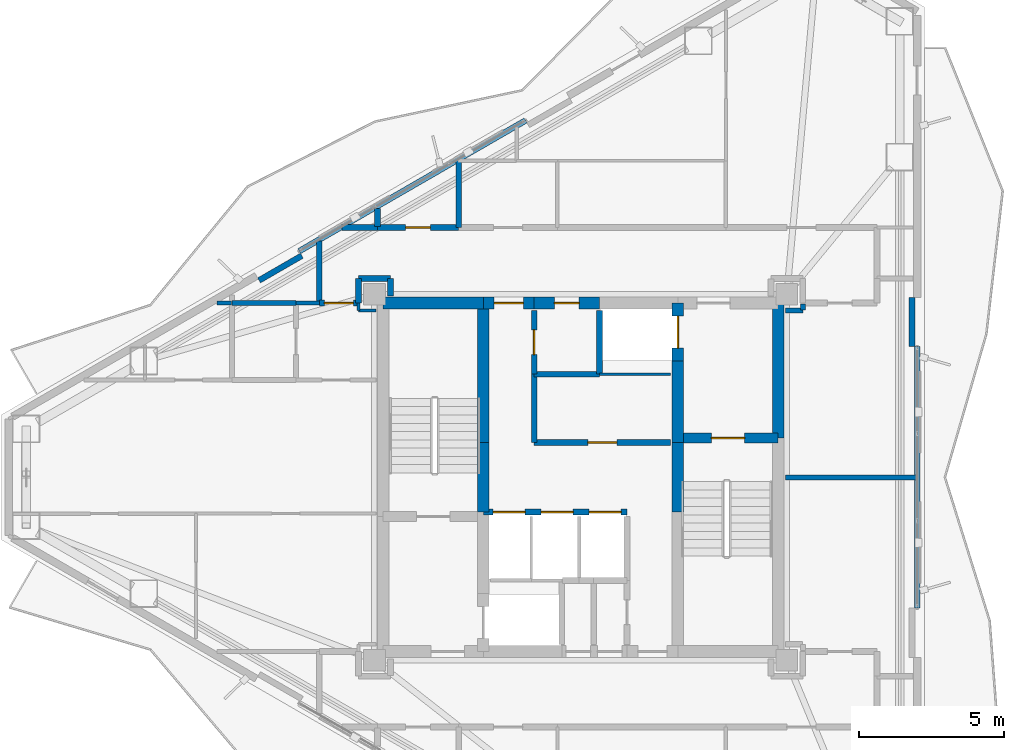
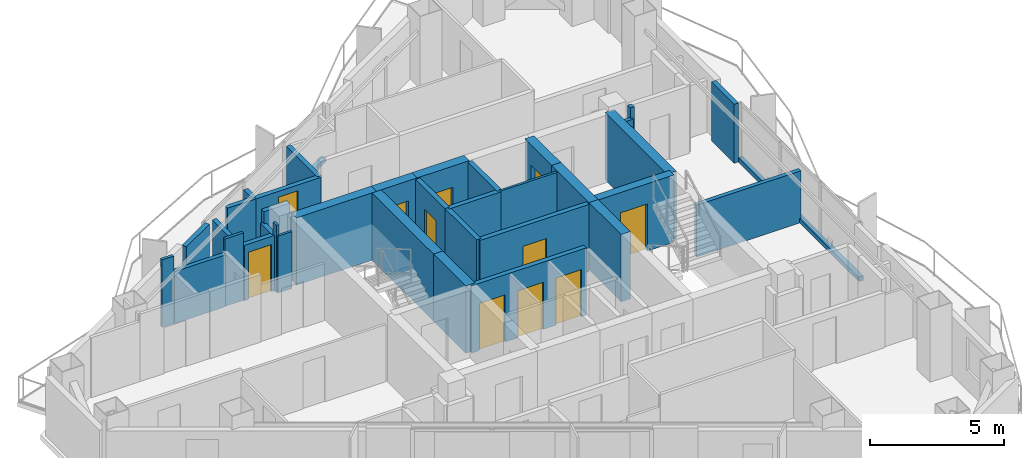
# One storey, part 18 of 22: 38 walls, 11 doors, 11 openings.
"""IFC4 building model written with IfcOpenShell, lengths in metres."""

from ifc_helpers import new_model, si_unit, direction, frame, frame_2d, origin, place, context, subcontext, project, spatial, rectangle, extrude, material, layer, layer_set, type_object, element, fill, save


model = new_model("IFC4")

# Units and contexts
model_context = context("Model", 3, precision=1e-05, world=origin(), true_north=direction((0.0, 1.0)))
body_context = subcontext(model_context, "Body", "Model", "MODEL_VIEW")
ifc_project = project(units=[si_unit("LENGTHUNIT", "METRE"), si_unit("AREAUNIT", "SQUARE_METRE"), si_unit("VOLUMEUNIT", "CUBIC_METRE"), si_unit("PLANEANGLEUNIT", "RADIAN"), si_unit("MASSUNIT", "GRAM", prefix="KILO")], contexts=[model_context])

# Site, building, storey
site_placement = place(None, origin())
site = spatial("IfcSite", under=ifc_project, at=site_placement, CompositionType="ELEMENT")
building_placement = place(site_placement, origin())
building = spatial("IfcBuilding", under=site, at=building_placement, Name="Mersakhor Tower and Convention Hall", CompositionType="ELEMENT")
storey_placement = place(building_placement, frame((0.0, 0.0, 188.699951171875)))
storey = spatial("IfcBuildingStorey", under=building, at=storey_placement, Name="L52", CompositionType="ELEMENT", Elevation=188.699951171875)

# Walls
ifc_material_1 = material(Name="Precast concrete C40/50", Category="concrete")
ifc_layer_1 = layer(ifc_material_1, 0.199951171875)
ifc_layer_set_1 = layer_set([ifc_layer_1], Name="Precast concrete C40/50")
wall_type_1 = type_object("IfcWallType", Name="WL-PAR-200", PredefinedType="PARAPET", material=ifc_layer_set_1)
wall_1_placement = place(storey_placement, frame((19.30908203125, 34.5361328125, 0.0), z_axis=(0.0, 0.0, 1.0), x_axis=(0.866020680503, 0.500008180874, 0.0)))
element("IfcWall", 1, at=wall_1_placement, inside=storey, type_object=wall_type_1, Name="L52 Curtain Wall Upstand Sill F1-B2", PredefinedType="PARAPET", context=body_context, shape_type="SweptSolid", body=[
    extrude(rectangle(XDim=8.998779296875, YDim=0.199951171875, at=frame_2d((4.49951171875, 0.0))), origin(), (0.0, 0.0, 1.0), 0.199951171875),
])
wall_2_placement = place(storey_placement, frame((17.927001953125, 33.5302734375, 0.0), z_axis=(0.0, 0.0, 1.0), x_axis=(0.86605165483, 0.499954529098, 0.0)))
element("IfcWall", 2, at=wall_2_placement, inside=storey, type_object=wall_type_1, Name="L52 Column Pier Cladding Wall F1-C1", PredefinedType="PARAPET", context=body_context, shape_type="SweptSolid", body=[
    extrude(rectangle(XDim=1.699951171875, YDim=0.199951171875, at=frame_2d((0.85009765625, 0.0))), origin(), (0.0, 0.0, 1.0), 2.68994140625),
])
wall_3_placement = place(storey_placement, frame((40.58837890625, 31.24951171875, 0.0), z_axis=(0.0, 0.0, 1.0), x_axis=(0.0, -1.0, 0.0)))
element("IfcWall", 3, at=wall_3_placement, inside=storey, type_object=wall_type_1, Name="L52 Curtain Wall Upstand Sill F2-B2", PredefinedType="PARAPET", context=body_context, shape_type="SweptSolid", body=[
    extrude(rectangle(XDim=8.9990234375, YDim=0.199951171875, at=frame_2d((4.49951171875, 0.0))), origin(), (0.0, 0.0, 1.0), 0.199951171875),
])
wall_4_placement = place(storey_placement, frame((40.408447265625, 32.949462890625, 0.0), z_axis=(0.0, 0.0, 1.0), x_axis=(0.0, -1.0, 0.0)))
element("IfcWall", 4, at=wall_4_placement, inside=storey, type_object=wall_type_1, Name="L52 Column Pier Cladding Wall F2-C1", PredefinedType="PARAPET", context=body_context, shape_type="SweptSolid", body=[
    extrude(rectangle(XDim=1.699951171875, YDim=0.199951171875, at=frame_2d((0.85009765625, 0.0))), origin(), (0.0, 0.0, 1.0), 2.68994140625),
])
ifc_material_2 = material(Name="Moisture-resistant acoustic drywall studwork", Category="other")
ifc_layer_2 = layer(ifc_material_2, 0.175048828125)
ifc_layer_set_2 = layer_set([ifc_layer_2], Name="Moisture-resistant acoustic drywall studwork")
wall_type_2 = type_object("IfcWallType", Name="WL-PLM-175", PredefinedType="PLUMBINGWALL", material=ifc_layer_set_2)
wall_5_placement = place(storey_placement, frame((36.050048828125, 32.5, 0.0), z_axis=(0.0, 0.0, 1.0), x_axis=(1.0, 0.0, 0.0)))
element("IfcWall", 5, at=wall_5_placement, inside=storey, type_object=wall_type_2, Name="L52 Interior Partition Wall P-053", PredefinedType="PLUMBINGWALL", context=body_context, shape_type="SweptSolid", body=[
    extrude(rectangle(XDim=0.599853515625, YDim=0.175048828125, at=frame_2d((0.2998046875, 0.0))), origin(), (0.0, 0.0, 1.0), 2.594970703125),
])
wall_6_placement = place(storey_placement, frame((36.64990234375, 32.514892578125, 0.0), z_axis=(0.0, 0.0, 1.0), x_axis=(0.0, 1.0, 0.0)))
element("IfcWall", 6, at=wall_6_placement, inside=storey, type_object=wall_type_2, Name="L52 Interior Partition Wall P-054", PredefinedType="PLUMBINGWALL", context=body_context, shape_type="SweptSolid", body=[
    extrude(rectangle(XDim=0.205078125, YDim=0.175048828125, at=frame_2d((0.1025390625, 0.0))), origin(), (0.0, 0.0, 1.0), 3.070068359375),
])
wall_7_placement = place(storey_placement, frame((40.55029296875, 26.75, 0.0), z_axis=(0.0, 0.0, 1.0), x_axis=(-1.0, 0.0, 0.0)))
element("IfcWall", 7, at=wall_7_placement, inside=storey, type_object=wall_type_2, Name="L52 Interior Partition Wall P-056", PredefinedType="PLUMBINGWALL", context=body_context, shape_type="SweptSolid", body=[
    extrude(rectangle(XDim=4.500244140625, YDim=0.175048828125, at=frame_2d((2.25, 0.0))), origin(), (0.0, 0.0, 1.0), 2.364990234375),
])
wall_8_placement = place(storey_placement, frame((17.0, 32.75, 0.0), z_axis=(0.0, 0.0, 1.0), x_axis=(1.0, 0.0, 0.0)))
element("IfcWall", 8, at=wall_8_placement, inside=storey, type_object=wall_type_2, Name="L52 Interior Partition Wall P-060", PredefinedType="PLUMBINGWALL", context=body_context, shape_type="SweptSolid", body=[
    extrude(rectangle(XDim=2.199951171875, YDim=0.175048828125, at=frame_2d((1.10009765625, 0.0))), origin(), (0.0, 0.0, 1.0), 2.364990234375),
])
ifc_material_3 = material(Name="Lightweight gypsum partition", Category="other")
ifc_layer_3 = layer(ifc_material_3, 0.10009765625)
ifc_layer_set_3 = layer_set([ifc_layer_3], Name="Lightweight gypsum partition")
wall_type_3 = type_object("IfcWallType", Name="WL-PRT-100", PredefinedType="PARTITIONING", material=ifc_layer_set_3)
wall_9_placement = place(storey_placement, frame((32.10009765625, 30.300048828125, 0.0), z_axis=(0.0, 0.0, 1.0), x_axis=(-1.0, 0.0, 0.0)))
element("IfcWall", 9, at=wall_9_placement, inside=storey, type_object=wall_type_3, Name="L52 Interior Partition Wall P-004", PredefinedType="PARTITIONING", context=body_context, shape_type="SweptSolid", body=[
    extrude(rectangle(XDim=2.4501953125, YDim=0.10009765625, at=frame_2d((1.22509765625, 0.0))), origin(), (0.0, 0.0, 1.0), 3.070068359375),
])
wall_10_placement = place(storey_placement, frame((21.35009765625, 32.5, 0.0), z_axis=(0.0, 0.0, 1.0), x_axis=(1.0, 0.0, 0.0)))
element("IfcWall", 10, at=wall_10_placement, inside=storey, type_object=wall_type_3, Name="L52 Interior Partition Wall P-048", PredefinedType="PARTITIONING", context=body_context, shape_type="SweptSolid", body=[
    extrude(rectangle(XDim=0.599853515625, YDim=0.10009765625, at=frame_2d((0.2998046875, 0.0))), origin(), (0.0, 0.0, 1.0), 2.594970703125),
])
wall_11_placement = place(storey_placement, frame((21.35009765625, 32.75, 0.0), z_axis=(0.0, 0.0, 1.0), x_axis=(0.0, -1.0, 0.0)))
element("IfcWall", 11, at=wall_11_placement, inside=storey, type_object=wall_type_3, Name="L52 Interior Partition Wall P-052", PredefinedType="PARTITIONING", context=body_context, shape_type="SweptSolid", body=[
    extrude(rectangle(XDim=0.25, YDim=0.10009765625, at=frame_2d((0.125, 0.0))), origin(), (0.0, 0.0, 1.0), 3.070068359375),
])
ifc_material_4 = material(Name="Gypsum board acoustic partition", Category="other")
ifc_layer_4 = layer(ifc_material_4, 0.125)
ifc_layer_set_4 = layer_set([ifc_layer_4], Name="Gypsum board acoustic partition")
wall_type_4 = type_object("IfcWallType", Name="WL-PRT-125", PredefinedType="PARTITIONING", material=ifc_layer_set_4)
wall_12_placement = place(storey_placement, frame((19.199951171875, 32.75, 0.0), z_axis=(0.0, 0.0, 1.0), x_axis=(1.0, 0.0, 0.0)))
element("IfcWall", 12, at=wall_12_placement, inside=storey, type_object=wall_type_4, Name="L52 Interior Partition Wall P-051", PredefinedType="PARTITIONING", context=body_context, shape_type="SweptSolid", body=[
    extrude(rectangle(XDim=0.800048828125, YDim=0.125, at=frame_2d((0.39990234375, 0.0))), origin(), (0.0, 0.0, 1.0), 3.070068359375),
])
wall_13_placement = place(storey_placement, frame((16.486328125, 32.75, 0.0), z_axis=(0.0, 0.0, 1.0), x_axis=(1.0, 0.0, 0.0)))
element("IfcWall", 13, at=wall_13_placement, inside=storey, type_object=wall_type_4, Name="L52 Interior Partition Wall P-065", PredefinedType="PARTITIONING", context=body_context, shape_type="SweptSolid", body=[
    extrude(rectangle(XDim=0.498779296875, YDim=0.125, at=frame_2d((0.24951171875, 0.0))), origin(), (0.0, 0.0, 1.0), 3.070068359375),
])

# Wall, openings, doors
ifc_material_5 = material(Name="Acoustic concrete blockwork and gypsum board", Category="masonry")
ifc_layer_5 = layer(ifc_material_5, 0.199951171875)
ifc_layer_set_5 = layer_set([ifc_layer_5], Name="Acoustic concrete blockwork and gypsum board")
wall_type_5 = type_object("IfcWallType", Name="WL-PRT-200", PredefinedType="PARTITIONING", material=ifc_layer_set_5)
wall_14_placement = place(storey_placement, frame((25.64990234375, 25.550048828125, 0.0), z_axis=(0.0, 0.0, 1.0), x_axis=(1.0, 0.0, 0.0)))
wall_14 = element("IfcWall", 14, at=wall_14_placement, inside=storey, type_object=wall_type_5, Name="L52 High-Rise Lift Bank Front Wall", PredefinedType="PARTITIONING", context=body_context, shape_type="SweptSolid", body=[
    extrude(rectangle(XDim=4.9501953125, YDim=0.199951171875, at=frame_2d((2.47509765625, 0.0))), origin(), (0.0, 0.0, 1.0), 3.070068359375),
])
opening_1_placement = place(wall_14_placement, frame((0.340087890625, 0.0, 0.0)))
opening_1 = element("IfcOpeningElement", 15, at=opening_1_placement, cuts=wall_14, Name="Opening LD-P4", PredefinedType="OPENING", context=body_context, shape_type="SweptSolid", body=[
    extrude(rectangle(XDim=1.10009765625, YDim=2.14990234375, at=frame_2d((0.550048828125, 1.074951171875))), frame((0.0, 0.10986328125, 0.0), z_axis=(0.0, -1.0, 0.0), x_axis=(1.0, 0.0, 0.0)), (0.0, 0.0, 1.0), 0.219970703125),
])
opening_2_placement = place(wall_14_placement, frame((1.989990234375, 0.0, 0.0)))
opening_2 = element("IfcOpeningElement", 16, at=opening_2_placement, cuts=wall_14, Name="Opening LD-P5", PredefinedType="OPENING", context=body_context, shape_type="SweptSolid", body=[
    extrude(rectangle(XDim=1.10009765625, YDim=2.14990234375, at=frame_2d((0.550048828125, 1.074951171875))), frame((0.0, 0.10986328125, 0.0), z_axis=(0.0, -1.0, 0.0), x_axis=(1.0, 0.0, 0.0)), (0.0, 0.0, 1.0), 0.219970703125),
])
opening_3_placement = place(wall_14_placement, frame((3.639892578125, 0.0, 0.0)))
opening_3 = element("IfcOpeningElement", 17, at=opening_3_placement, cuts=wall_14, Name="Opening LD-P6", PredefinedType="OPENING", context=body_context, shape_type="SweptSolid", body=[
    extrude(rectangle(XDim=1.10009765625, YDim=2.14990234375, at=frame_2d((0.550048828125, 1.074951171875))), frame((0.0, 0.10986328125, 0.0), z_axis=(0.0, -1.0, 0.0), x_axis=(1.0, 0.0, 0.0)), (0.0, 0.0, 1.0), 0.219970703125),
])
ifc_material_6 = material(Name="Fire-rated brushed stainless steel sliding landing door", Category="steel")
door_type_1 = type_object("IfcDoorType", Name="DR-LIFT-SLD-110x215", OperationType="NOTDEFINED", PredefinedType="DOOR", material=ifc_material_6)
door_1_placement = place(opening_1_placement, origin())
door_1 = element("IfcDoor", 18, at=door_1_placement, inside=storey, type_object=door_type_1, Name="L52 Lift Landing Door LD-P4", OperationType="SLIDING_TO_LEFT", OverallHeight=2.14990234375, OverallWidth=1.10009765625, PredefinedType="DOOR", context=body_context, shape_type="SweptSolid", body=[
    extrude(rectangle(XDim=1.10009765625, YDim=2.14990234375, at=frame_2d((0.550048828125, 1.074951171875))), frame((0.0, 0.02490234375, 0.0), z_axis=(0.0, -1.0, 0.0), x_axis=(1.0, 0.0, 0.0)), (0.0, 0.0, 1.0), 0.050048828125),
])
fill(opening_1, door_1)
door_2_placement = place(opening_2_placement, origin())
door_2 = element("IfcDoor", 19, at=door_2_placement, inside=storey, type_object=door_type_1, Name="L52 Lift Landing Door LD-P5", OperationType="SLIDING_TO_LEFT", OverallHeight=2.14990234375, OverallWidth=1.10009765625, PredefinedType="DOOR", context=body_context, shape_type="SweptSolid", body=[
    extrude(rectangle(XDim=1.10009765625, YDim=2.14990234375, at=frame_2d((0.550048828125, 1.074951171875))), frame((0.0, 0.02490234375, 0.0), z_axis=(0.0, -1.0, 0.0), x_axis=(1.0, 0.0, 0.0)), (0.0, 0.0, 1.0), 0.050048828125),
])
fill(opening_2, door_2)
door_3_placement = place(opening_3_placement, origin())
door_3 = element("IfcDoor", 20, at=door_3_placement, inside=storey, type_object=door_type_1, Name="L52 Lift Landing Door LD-P6", OperationType="SLIDING_TO_LEFT", OverallHeight=2.14990234375, OverallWidth=1.10009765625, PredefinedType="DOOR", context=body_context, shape_type="SweptSolid", body=[
    extrude(rectangle(XDim=1.10009765625, YDim=2.14990234375, at=frame_2d((0.550048828125, 1.074951171875))), frame((0.0, 0.02490234375, 0.0), z_axis=(0.0, -1.0, 0.0), x_axis=(1.0, 0.0, 0.0)), (0.0, 0.0, 1.0), 0.050048828125),
])
fill(opening_3, door_3)

# Wall
wall_15_placement = place(storey_placement, frame((29.64990234375, 30.300048828125, 0.0), z_axis=(0.0, 0.0, 1.0), x_axis=(0.0, 1.0, 0.0)))
element("IfcWall", 21, at=wall_15_placement, inside=storey, type_object=wall_type_5, Name="L52 Interior Partition Wall P-005", PredefinedType="PARTITIONING", context=body_context, shape_type="SweptSolid", body=[
    extrude(rectangle(XDim=2.199951171875, YDim=0.199951171875, at=frame_2d((1.10009765625, 0.0))), origin(), (0.0, 0.0, 1.0), 3.070068359375),
])

# Wall, opening, door
wall_16_placement = place(storey_placement, frame((27.39990234375, 32.5, 0.0), z_axis=(0.0, 0.0, 1.0), x_axis=(0.0, -1.0, 0.0)))
wall_16 = element("IfcWall", 22, at=wall_16_placement, inside=storey, type_object=wall_type_5, Name="L52 Interior Partition Wall P-013", PredefinedType="PARTITIONING", context=body_context, shape_type="SweptSolid", body=[
    extrude(rectangle(XDim=2.199951171875, YDim=0.199951171875, at=frame_2d((1.10009765625, 0.0))), origin(), (0.0, 0.0, 1.0), 3.070068359375),
])
opening_4_placement = place(wall_16_placement, frame((0.675048828125, 0.0, 0.0)))
opening_4 = element("IfcOpeningElement", 23, at=opening_4_placement, cuts=wall_16, Name="Opening SVD-01", PredefinedType="OPENING", context=body_context, shape_type="SweptSolid", body=[
    extrude(rectangle(XDim=0.85009765625, YDim=2.10009765625, at=frame_2d((0.425048828125, 1.050048828125))), frame((0.0, 0.10986328125, 0.0), z_axis=(0.0, -1.0, 0.0), x_axis=(1.0, 0.0, 0.0)), (0.0, 0.0, 1.0), 0.219970703125),
])
ifc_material_7 = material(Name="Fire-rated hardwood leaf and painted steel frame", Category="steel")
door_type_2 = type_object("IfcDoorType", Name="DR-INT-SVC-085x210", OperationType="NOTDEFINED", PredefinedType="DOOR", material=ifc_material_7)
door_4_placement = place(opening_4_placement, origin())
door_4 = element("IfcDoor", 24, at=door_4_placement, inside=storey, type_object=door_type_2, Name="L52 Central Passenger Lift Lobby to High-Zone Telecoms Room Door", OperationType="SINGLE_SWING_RIGHT", OverallHeight=2.10009765625, OverallWidth=0.85009765625, PredefinedType="DOOR", context=body_context, shape_type="SweptSolid", body=[
    extrude(rectangle(XDim=0.85009765625, YDim=2.10009765625, at=frame_2d((0.425048828125, 1.050048828125))), frame((0.0, 0.02490234375, 0.0), z_axis=(0.0, -1.0, 0.0), x_axis=(1.0, 0.0, 0.0)), (0.0, 0.0, 1.0), 0.050048828125),
])
fill(opening_4, door_4)

# Wall
wall_17_placement = place(storey_placement, frame((27.39990234375, 30.300048828125, 0.0), z_axis=(0.0, 0.0, 1.0), x_axis=(0.0, -1.0, 0.0)))
element("IfcWall", 25, at=wall_17_placement, inside=storey, type_object=wall_type_5, Name="L52 Interior Partition Wall P-014", PredefinedType="PARTITIONING", context=body_context, shape_type="SweptSolid", body=[
    extrude(rectangle(XDim=2.35009765625, YDim=0.199951171875, at=frame_2d((1.175048828125, 0.0))), origin(), (0.0, 0.0, 1.0), 3.070068359375),
])

# Wall, opening, door
wall_18_placement = place(storey_placement, frame((27.39990234375, 27.949951171875, 0.0), z_axis=(0.0, 0.0, 1.0), x_axis=(1.0, 0.0, 0.0)))
wall_18 = element("IfcWall", 26, at=wall_18_placement, inside=storey, type_object=wall_type_5, Name="L52 Interior Partition Wall P-015", PredefinedType="PARTITIONING", context=body_context, shape_type="SweptSolid", body=[
    extrude(rectangle(XDim=4.7001953125, YDim=0.199951171875, at=frame_2d((2.35009765625, 0.0))), origin(), (0.0, 0.0, 1.0), 3.070068359375),
])
opening_5_placement = place(wall_18_placement, frame((1.85009765625, 0.0, 0.0)))
opening_5 = element("IfcOpeningElement", 27, at=opening_5_placement, cuts=wall_18, Name="Opening FD-01", PredefinedType="OPENING", context=body_context, shape_type="SweptSolid", body=[
    extrude(rectangle(XDim=1.0, YDim=2.14990234375, at=frame_2d((0.5, 1.074951171875))), frame((0.0, 0.10986328125, 0.0), z_axis=(0.0, -1.0, 0.0), x_axis=(1.0, 0.0, 0.0)), (0.0, 0.0, 1.0), 0.219970703125),
])
ifc_material_8 = material(Name="Fire-rated hardwood leaf and painted steel frame", Category="steel")
door_type_3 = type_object("IfcDoorType", Name="DR-INT-FLT-100x215", OperationType="NOTDEFINED", PredefinedType="DOOR", material=ifc_material_8)
door_5_placement = place(opening_5_placement, origin())
door_5 = element("IfcDoor", 28, at=door_5_placement, inside=storey, type_object=door_type_3, Name="L52 Central Passenger Lift Lobby to Shared Floor Tea Pantry Door", OperationType="SINGLE_SWING_LEFT", OverallHeight=2.14990234375, OverallWidth=1.0, PredefinedType="DOOR", context=body_context, shape_type="SweptSolid", body=[
    extrude(rectangle(XDim=1.0, YDim=2.14990234375, at=frame_2d((0.5, 1.074951171875))), frame((0.0, 0.02490234375, 0.0), z_axis=(0.0, -1.0, 0.0), x_axis=(1.0, 0.0, 0.0)), (0.0, 0.0, 1.0), 0.050048828125),
])
fill(opening_5, door_5)

# Walls
wall_19_placement = place(storey_placement, frame((22.449951171875, 33.0, 0.0), z_axis=(0.0, 0.0, 1.0), x_axis=(0.0, 1.0, 0.0)))
element("IfcWall", 29, at=wall_19_placement, inside=storey, type_object=wall_type_5, Name="L52 Interior Partition Wall P-022", PredefinedType="PARTITIONING", context=body_context, shape_type="SweptSolid", body=[
    extrude(rectangle(XDim=0.60009765625, YDim=0.199951171875, at=frame_2d((0.300048828125, 0.0))), origin(), (0.0, 0.0, 1.0), 2.594970703125),
])
wall_20_placement = place(storey_placement, frame((22.449951171875, 33.60009765625, 0.0), z_axis=(0.0, 0.0, 1.0), x_axis=(-1.0, 0.0, 0.0)))
element("IfcWall", 30, at=wall_20_placement, inside=storey, type_object=wall_type_5, Name="L52 Interior Partition Wall P-023", PredefinedType="PARTITIONING", context=body_context, shape_type="SweptSolid", body=[
    extrude(rectangle(XDim=1.099853515625, YDim=0.199951171875, at=frame_2d((0.5498046875, 0.0))), origin(), (0.0, 0.0, 1.0), 3.070068359375),
])
wall_21_placement = place(storey_placement, frame((21.35009765625, 33.60009765625, 0.0), z_axis=(0.0, 0.0, 1.0), x_axis=(0.0, -1.0, 0.0)))
element("IfcWall", 31, at=wall_21_placement, inside=storey, type_object=wall_type_5, Name="L52 Interior Partition Wall P-024", PredefinedType="PARTITIONING", context=body_context, shape_type="SweptSolid", body=[
    extrude(rectangle(XDim=0.85009765625, YDim=0.199951171875, at=frame_2d((0.425048828125, 0.0))), origin(), (0.0, 0.0, 1.0), 2.518310546875),
])

# Wall, opening, door
wall_22_placement = place(storey_placement, frame((21.35009765625, 32.75, 0.0), z_axis=(0.0, 0.0, 1.0), x_axis=(-1.0, 0.0, 0.0)))
wall_22 = element("IfcWall", 32, at=wall_22_placement, inside=storey, type_object=wall_type_5, Name="L52 Interior Partition Wall P-025", PredefinedType="PARTITIONING", context=body_context, shape_type="SweptSolid", body=[
    extrude(rectangle(XDim=1.35009765625, YDim=0.199951171875, at=frame_2d((0.675048828125, 0.0))), origin(), (0.0, 0.0, 1.0), 2.518310546875),
])
opening_6_placement = place(wall_22_placement, frame((0.175048828125, 0.0, 0.0)))
opening_6 = element("IfcOpeningElement", 33, at=opening_6_placement, cuts=wall_22, Name="Opening FD-01", PredefinedType="OPENING", context=body_context, shape_type="SweptSolid", body=[
    extrude(rectangle(XDim=1.0, YDim=2.14990234375, at=frame_2d((0.5, 1.074951171875))), frame((0.0, 0.10986328125, 0.0), z_axis=(0.0, -1.0, 0.0), x_axis=(1.0, 0.0, 0.0)), (0.0, 0.0, 1.0), 0.219970703125),
])
door_6_placement = place(opening_6_placement, origin())
door_6 = element("IfcDoor", 34, at=door_6_placement, inside=storey, type_object=door_type_3, Name="L52 Apartment Entrance Door (Residential North Gallery Corridor to L52 Flat W3 Apartment Hall)", OperationType="SINGLE_SWING_RIGHT", OverallHeight=2.14990234375, OverallWidth=1.0, PredefinedType="DOOR", context=body_context, shape_type="SweptSolid", body=[
    extrude(rectangle(XDim=1.0, YDim=2.14990234375, at=frame_2d((0.5, 1.074951171875))), frame((0.0, 0.02490234375, 0.0), z_axis=(0.0, -1.0, 0.0), x_axis=(1.0, 0.0, 0.0)), (0.0, 0.0, 1.0), 0.050048828125),
])
fill(opening_6, door_6)

# Walls
wall_23_placement = place(storey_placement, frame((20.0, 32.75, 0.0), z_axis=(0.0, 0.0, 1.0), x_axis=(0.0, 1.0, 0.0)))
element("IfcWall", 35, at=wall_23_placement, inside=storey, type_object=wall_type_5, Name="L52 Interior Partition Wall P-026", PredefinedType="PARTITIONING", context=body_context, shape_type="SweptSolid", body=[
    extrude(rectangle(XDim=2.14111328125, YDim=0.199951171875, at=frame_2d((1.070556640625, 0.0))), origin(), (0.0, 0.0, 1.0), 2.364990234375),
])
wall_24_placement = place(storey_placement, frame((20.7880859375, 35.35009765625, 0.0), z_axis=(0.0, 0.0, 1.0), x_axis=(1.0, 0.0, 0.0)))
element("IfcWall", 36, at=wall_24_placement, inside=storey, type_object=wall_type_5, Name="L52 Interior Partition Wall P-027", PredefinedType="PARTITIONING", context=body_context, shape_type="SweptSolid", body=[
    extrude(rectangle(XDim=1.2119140625, YDim=0.199951171875, at=frame_2d((0.60595703125, 0.0))), origin(), (0.0, 0.0, 1.0), 2.364990234375),
])

# Wall, opening, door
wall_25_placement = place(storey_placement, frame((22.0, 35.35009765625, 0.0), z_axis=(0.0, 0.0, 1.0), x_axis=(1.0, 0.0, 0.0)))
wall_25 = element("IfcWall", 37, at=wall_25_placement, inside=storey, type_object=wall_type_5, Name="L52 Interior Partition Wall P-028", PredefinedType="PARTITIONING", context=body_context, shape_type="SweptSolid", body=[
    extrude(rectangle(XDim=2.800048828125, YDim=0.199951171875, at=frame_2d((1.39990234375, 0.0))), origin(), (0.0, 0.0, 1.0), 2.364990234375),
])
opening_7_placement = place(wall_25_placement, frame((0.97509765625, 0.0, 0.0)))
opening_7 = element("IfcOpeningElement", 38, at=opening_7_placement, cuts=wall_25, Name="Opening SVD-01", PredefinedType="OPENING", context=body_context, shape_type="SweptSolid", body=[
    extrude(rectangle(XDim=0.85009765625, YDim=2.10009765625, at=frame_2d((0.425048828125, 1.050048828125))), frame((0.0, 0.10986328125, 0.0), z_axis=(0.0, -1.0, 0.0), x_axis=(1.0, 0.0, 0.0)), (0.0, 0.0, 1.0), 0.219970703125),
])
door_7_placement = place(opening_7_placement, origin())
door_7 = element("IfcDoor", 39, at=door_7_placement, inside=storey, type_object=door_type_2, Name="L52 Residential North Gallery Corridor to L52 Floor Household Store Room 1-1 Door", OperationType="SINGLE_SWING_RIGHT", OverallHeight=2.10009765625, OverallWidth=0.85009765625, PredefinedType="DOOR", context=body_context, shape_type="SweptSolid", body=[
    extrude(rectangle(XDim=0.85009765625, YDim=2.10009765625, at=frame_2d((0.425048828125, 1.050048828125))), frame((0.0, 0.02490234375, 0.0), z_axis=(0.0, -1.0, 0.0), x_axis=(1.0, 0.0, 0.0)), (0.0, 0.0, 1.0), 0.050048828125),
])
fill(opening_7, door_7)

# Walls
wall_26_placement = place(storey_placement, frame((27.39990234375, 30.300048828125, 0.0), z_axis=(0.0, 0.0, 1.0), x_axis=(1.0, 0.0, 0.0)))
element("IfcWall", 40, at=wall_26_placement, inside=storey, type_object=wall_type_5, Name="L52 Interior Partition Wall P-066", PredefinedType="PARTITIONING", context=body_context, shape_type="SweptSolid", body=[
    extrude(rectangle(XDim=2.25, YDim=0.199951171875, at=frame_2d((1.125, 0.0))), origin(), (0.0, 0.0, 1.0), 3.070068359375),
])
wall_27_placement = place(storey_placement, frame((24.800048828125, 37.662353515625, 0.0), z_axis=(0.0, 0.0, 1.0), x_axis=(0.0, -1.0, 0.0)))
element("IfcWall", 41, at=wall_27_placement, inside=storey, type_object=wall_type_5, Name="L52 Interior Partition Wall P-075", PredefinedType="PARTITIONING", context=body_context, shape_type="SweptSolid", body=[
    extrude(rectangle(XDim=2.312255859375, YDim=0.199951171875, at=frame_2d((1.15625, 0.0))), origin(), (0.0, 0.0, 1.0), 2.364990234375),
])
wall_28_placement = place(storey_placement, frame((22.0, 35.3798828125, 0.0), z_axis=(0.0, 0.0, 1.0), x_axis=(0.0, 1.0, 0.0)))
element("IfcWall", 42, at=wall_28_placement, inside=storey, type_object=wall_type_5, Name="L52 Interior Partition Wall P-076", PredefinedType="PARTITIONING", context=body_context, shape_type="SweptSolid", body=[
    extrude(rectangle(XDim=0.620849609375, YDim=0.199951171875, at=frame_2d((0.310546875, 0.0))), origin(), (0.0, 0.0, 1.0), 2.364990234375),
])

# Wall, opening, door
ifc_material_9 = material(Name="Concrete C50/60", Category="concrete")
ifc_layer_6 = layer(ifc_material_9, 0.35009765625)
ifc_layer_set_6 = layer_set([ifc_layer_6], Name="Concrete C50/60")
wall_type_6 = type_object("IfcWallType", Name="WL-SHR-350", PredefinedType="SHEAR", material=ifc_layer_set_6)
wall_29_placement = place(storey_placement, frame((32.35009765625, 28.10009765625, 0.0), z_axis=(0.0, 0.0, 1.0), x_axis=(1.0, 0.0, 0.0)))
wall_29 = element("IfcWall", 43, at=wall_29_placement, inside=storey, type_object=wall_type_6, Name="L52 Core Wall CS-ST2-N", PredefinedType="SHEAR", context=body_context, shape_type="SweptSolid", body=[
    extrude(rectangle(XDim=3.449951171875, YDim=0.35009765625, at=frame_2d((1.72509765625, 0.0))), origin(), (0.0, 0.0, 1.0), 3.070068359375),
])
opening_8_placement = place(wall_29_placement, frame((1.14990234375, 0.0, 0.0)))
opening_8 = element("IfcOpeningElement", 44, at=opening_8_placement, cuts=wall_29, Name="Opening SD-01", PredefinedType="OPENING", context=body_context, shape_type="SweptSolid", body=[
    extrude(rectangle(XDim=1.14990234375, YDim=2.14990234375, at=frame_2d((0.574951171875, 1.074951171875))), frame((0.0, 0.18505859375, 0.0), z_axis=(0.0, -1.0, 0.0), x_axis=(1.0, 0.0, 0.0)), (0.0, 0.0, 1.0), 0.3701171875),
])
ifc_material_10 = material(Name="Fire-rated hardwood leaf and painted steel frame", Category="steel")
door_type_4 = type_object("IfcDoorType", Name="DR-INT-STAIR-115x215", OperationType="NOTDEFINED", PredefinedType="DOOR", material=ifc_material_10)
door_8_placement = place(opening_8_placement, origin())
door_8 = element("IfcDoor", 45, at=door_8_placement, inside=storey, type_object=door_type_4, Name="L52 Exit Stair ST-2 Enclosure Door", OperationType="SINGLE_SWING_RIGHT", OverallHeight=2.14990234375, OverallWidth=1.14990234375, PredefinedType="DOOR", context=body_context, shape_type="SweptSolid", body=[
    extrude(rectangle(XDim=1.14990234375, YDim=2.14990234375, at=frame_2d((0.574951171875, 1.074951171875))), frame((0.0, 0.02490234375, 0.0), z_axis=(0.0, -1.0, 0.0), x_axis=(1.0, 0.0, 0.0)), (0.0, 0.0, 1.0), 0.050048828125),
])
fill(opening_8, door_8)

# Wall
ifc_material_11 = material(Name="Concrete C60/75", Category="concrete")
ifc_layer_7 = layer(ifc_material_11, 0.39990234375)
ifc_layer_set_7 = layer_set([ifc_layer_7], Name="Concrete C60/75")
wall_type_7 = type_object("IfcWallType", Name="WL-SHR-400", PredefinedType="SHEAR", material=ifc_layer_set_7)
wall_30_placement = place(storey_placement, frame((22.199951171875, 32.75, 0.0), z_axis=(0.0, 0.0, 1.0), x_axis=(1.0, 0.0, 0.0)))
element("IfcWall", 46, at=wall_30_placement, inside=storey, type_object=wall_type_7, Name="L52 Core Wall CW-N1", PredefinedType="SHEAR", context=body_context, shape_type="SweptSolid", body=[
    extrude(rectangle(XDim=3.449951171875, YDim=0.39990234375, at=frame_2d((1.72509765625, 0.0))), origin(), (0.0, 0.0, 1.0), 3.070068359375),
])

# Wall, opening, door
wall_31_placement = place(storey_placement, frame((25.64990234375, 32.75, 0.0), z_axis=(0.0, 0.0, 1.0), x_axis=(1.0, 0.0, 0.0)))
wall_31 = element("IfcWall", 47, at=wall_31_placement, inside=storey, type_object=wall_type_7, Name="L52 Core Wall CW-N2A", PredefinedType="SHEAR", context=body_context, shape_type="SweptSolid", body=[
    extrude(rectangle(XDim=1.75, YDim=0.39990234375, at=frame_2d((0.875, 0.0))), origin(), (0.0, 0.0, 1.0), 3.070068359375),
])
opening_9_placement = place(wall_31_placement, frame((0.375, 0.0, 0.0)))
opening_9 = element("IfcOpeningElement", 48, at=opening_9_placement, cuts=wall_31, Name="Opening CFD-01", PredefinedType="OPENING", context=body_context, shape_type="SweptSolid", body=[
    extrude(rectangle(XDim=1.0, YDim=2.14990234375, at=frame_2d((0.5, 1.074951171875))), frame((0.0, 0.2099609375, 0.0), z_axis=(0.0, -1.0, 0.0), x_axis=(1.0, 0.0, 0.0)), (0.0, 0.0, 1.0), 0.419921875),
])
ifc_material_12 = material(Name="Fire-rated hardwood leaf and painted steel frame", Category="steel")
door_type_5 = type_object("IfcDoorType", Name="DR-CORE-FD-100x215", OperationType="NOTDEFINED", PredefinedType="DOOR", material=ifc_material_12)
door_9_placement = place(opening_9_placement, origin())
door_9 = element("IfcDoor", 49, at=door_9_placement, inside=storey, type_object=door_type_5, Name="L52 Lift Lobby North Corridor Door", OperationType="SINGLE_SWING_LEFT", OverallHeight=2.14990234375, OverallWidth=1.0, PredefinedType="DOOR", context=body_context, shape_type="SweptSolid", body=[
    extrude(rectangle(XDim=1.0, YDim=2.14990234375, at=frame_2d((0.5, 1.074951171875))), frame((0.0, 0.02490234375, 0.0), z_axis=(0.0, -1.0, 0.0), x_axis=(1.0, 0.0, 0.0)), (0.0, 0.0, 1.0), 0.050048828125),
])
fill(opening_9, door_9)

wall_32_placement = place(storey_placement, frame((27.39990234375, 32.75, 0.0), z_axis=(0.0, 0.0, 1.0), x_axis=(1.0, 0.0, 0.0)))
wall_32 = element("IfcWall", 50, at=wall_32_placement, inside=storey, type_object=wall_type_7, Name="L52 Core Wall CW-N2B", PredefinedType="SHEAR", context=body_context, shape_type="SweptSolid", body=[
    extrude(rectangle(XDim=2.25, YDim=0.39990234375, at=frame_2d((1.125, 0.0))), origin(), (0.0, 0.0, 1.0), 3.070068359375),
])
opening_10_placement = place(wall_32_placement, frame((0.699951171875, 0.0, 0.0)))
opening_10 = element("IfcOpeningElement", 51, at=opening_10_placement, cuts=wall_32, Name="Opening SVD-01", PredefinedType="OPENING", context=body_context, shape_type="SweptSolid", body=[
    extrude(rectangle(XDim=0.85009765625, YDim=2.10009765625, at=frame_2d((0.425048828125, 1.050048828125))), frame((0.0, 0.2099609375, 0.0), z_axis=(0.0, -1.0, 0.0), x_axis=(1.0, 0.0, 0.0)), (0.0, 0.0, 1.0), 0.419921875),
])
door_10_placement = place(opening_10_placement, origin())
door_10 = element("IfcDoor", 52, at=door_10_placement, inside=storey, type_object=door_type_2, Name="L52 Residential North Gallery Corridor to High-Zone Telecoms Room Door", OperationType="SINGLE_SWING_RIGHT", OverallHeight=2.10009765625, OverallWidth=0.85009765625, PredefinedType="DOOR", context=body_context, shape_type="SweptSolid", body=[
    extrude(rectangle(XDim=0.85009765625, YDim=2.10009765625, at=frame_2d((0.425048828125, 1.050048828125))), frame((0.0, 0.02490234375, 0.0), z_axis=(0.0, -1.0, 0.0), x_axis=(1.0, 0.0, 0.0)), (0.0, 0.0, 1.0), 0.050048828125),
])
fill(opening_10, door_10)

# Walls
wall_33_placement = place(storey_placement, frame((35.800048828125, 32.75, 0.0), z_axis=(0.0, 0.0, 1.0), x_axis=(0.0, -1.0, 0.0)))
element("IfcWall", 53, at=wall_33_placement, inside=storey, type_object=wall_type_7, Name="L52 Core Wall CW-E1", PredefinedType="SHEAR", context=body_context, shape_type="SweptSolid", body=[
    extrude(rectangle(XDim=4.64990234375, YDim=0.39990234375, at=frame_2d((2.324951171875, 0.0))), origin(), (0.0, 0.0, 1.0), 3.070068359375),
])
wall_34_placement = place(storey_placement, frame((25.64990234375, 25.550048828125, 0.0), z_axis=(0.0, 0.0, 1.0), x_axis=(0.0, 1.0, 0.0)))
element("IfcWall", 54, at=wall_34_placement, inside=storey, type_object=wall_type_7, Name="L52 Core Wall CS-W-LOB", PredefinedType="SHEAR", context=body_context, shape_type="SweptSolid", body=[
    extrude(rectangle(XDim=2.39990234375, YDim=0.39990234375, at=frame_2d((1.199951171875, 0.0))), origin(), (0.0, 0.0, 1.0), 3.070068359375),
])
wall_35_placement = place(storey_placement, frame((25.64990234375, 27.949951171875, 0.0), z_axis=(0.0, 0.0, 1.0), x_axis=(0.0, 1.0, 0.0)))
element("IfcWall", 55, at=wall_35_placement, inside=storey, type_object=wall_type_7, Name="L52 Core Wall CS-W-ST1", PredefinedType="SHEAR", context=body_context, shape_type="SweptSolid", body=[
    extrude(rectangle(XDim=4.800048828125, YDim=0.39990234375, at=frame_2d((2.39990234375, 0.0))), origin(), (0.0, 0.0, 1.0), 3.070068359375),
])
wall_36_placement = place(storey_placement, frame((32.35009765625, 25.550048828125, 0.0), z_axis=(0.0, 0.0, 1.0), x_axis=(0.0, 1.0, 0.0)))
element("IfcWall", 56, at=wall_36_placement, inside=storey, type_object=wall_type_7, Name="L52 Core Wall CS-E-LOB", PredefinedType="SHEAR", context=body_context, shape_type="SweptSolid", body=[
    extrude(rectangle(XDim=2.39990234375, YDim=0.39990234375, at=frame_2d((1.199951171875, 0.0))), origin(), (0.0, 0.0, 1.0), 3.070068359375),
])
wall_37_placement = place(storey_placement, frame((32.35009765625, 27.949951171875, 0.0), z_axis=(0.0, 0.0, 1.0), x_axis=(0.0, 1.0, 0.0)))
element("IfcWall", 57, at=wall_37_placement, inside=storey, type_object=wall_type_7, Name="L52 Core Wall CS-E-MID", PredefinedType="SHEAR", context=body_context, shape_type="SweptSolid", body=[
    extrude(rectangle(XDim=2.800048828125, YDim=0.39990234375, at=frame_2d((1.39990234375, 0.0))), origin(), (0.0, 0.0, 1.0), 3.070068359375),
])

# Wall, opening, door
wall_38_placement = place(storey_placement, frame((32.35009765625, 30.75, 0.0), z_axis=(0.0, 0.0, 1.0), x_axis=(0.0, 1.0, 0.0)))
wall_38 = element("IfcWall", 58, at=wall_38_placement, inside=storey, type_object=wall_type_7, Name="L52 Core Wall CS-E-FFL", PredefinedType="SHEAR", context=body_context, shape_type="SweptSolid", body=[
    extrude(rectangle(XDim=2.0, YDim=0.39990234375, at=frame_2d((1.0, 0.0))), origin(), (0.0, 0.0, 1.0), 3.070068359375),
])
opening_11_placement = place(wall_38_placement, frame((0.449951171875, 0.0, 0.0)))
opening_11 = element("IfcOpeningElement", 59, at=opening_11_placement, cuts=wall_38, Name="Opening LD-FFL2", PredefinedType="OPENING", context=body_context, shape_type="SweptSolid", body=[
    extrude(rectangle(XDim=1.10009765625, YDim=2.14990234375, at=frame_2d((0.550048828125, 1.074951171875))), frame((0.0, 0.2099609375, 0.0), z_axis=(0.0, -1.0, 0.0), x_axis=(1.0, 0.0, 0.0)), (0.0, 0.0, 1.0), 0.419921875),
])
door_11_placement = place(opening_11_placement, origin())
door_11 = element("IfcDoor", 60, at=door_11_placement, inside=storey, type_object=door_type_1, Name="L52 Firefighting Lift Landing Door LD-FFL2", OperationType="SLIDING_TO_LEFT", OverallHeight=2.14990234375, OverallWidth=1.10009765625, PredefinedType="DOOR", context=body_context, shape_type="SweptSolid", body=[
    extrude(rectangle(XDim=1.10009765625, YDim=2.14990234375, at=frame_2d((0.550048828125, 1.074951171875))), frame((0.0, 0.02490234375, 0.0), z_axis=(0.0, -1.0, 0.0), x_axis=(1.0, 0.0, 0.0)), (0.0, 0.0, 1.0), 0.050048828125),
])
fill(opening_11, door_11)

save(model, "model.ifc")
